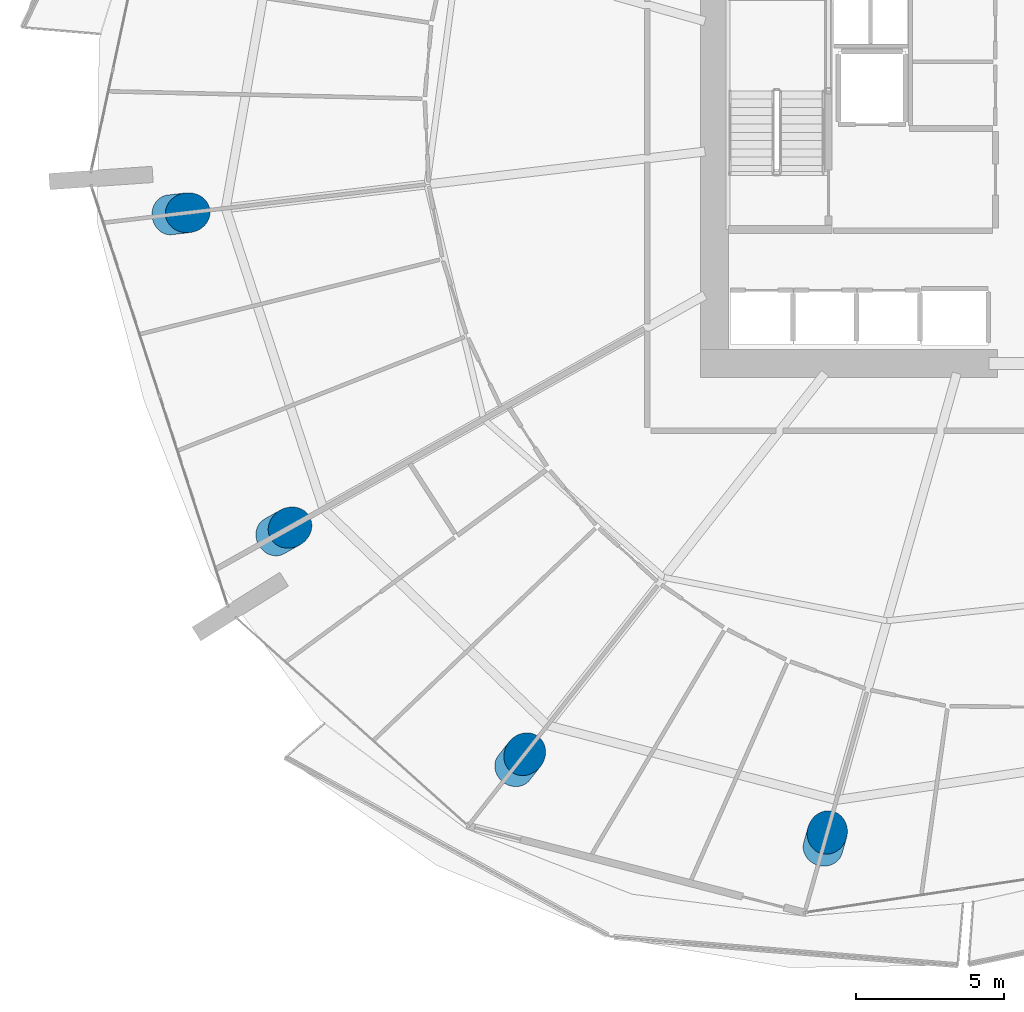
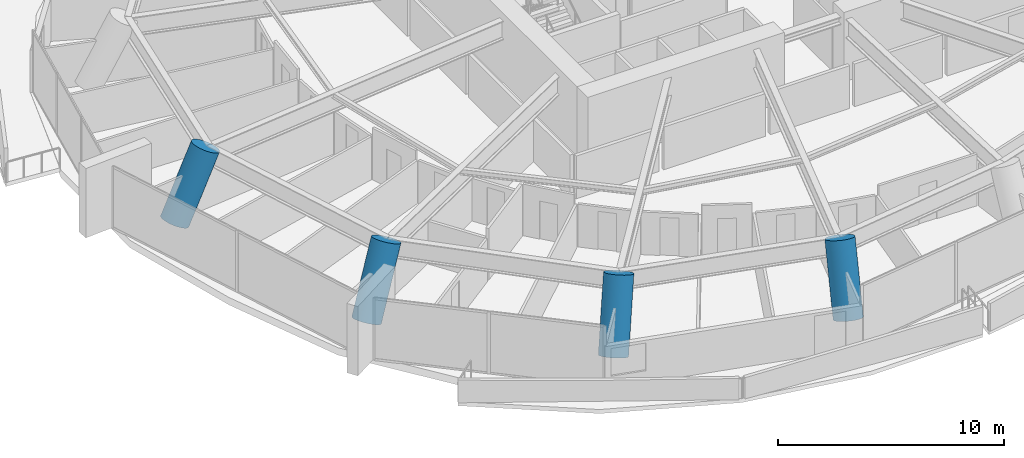
# One storey, part 1 of 31: 4 columns.
"""IFC4 building model written with IfcOpenShell, lengths in metres."""

from ifc_helpers import new_model, si_unit, direction, frame, origin, origin_2d, place, context, subcontext, project, spatial, circle, extrude, material, material_profile, profile_set, type_object, element, save


model = new_model("IFC4")

# Units and contexts
model_context = context("Model", 3, precision=1e-05, world=origin(), true_north=direction((0.0, 1.0)))
body_context = subcontext(model_context, "Body", "Model", "MODEL_VIEW")
ifc_project = project(units=[si_unit("LENGTHUNIT", "METRE"), si_unit("AREAUNIT", "SQUARE_METRE"), si_unit("VOLUMEUNIT", "CUBIC_METRE"), si_unit("PLANEANGLEUNIT", "RADIAN"), si_unit("MASSUNIT", "GRAM", prefix="KILO")], contexts=[model_context])

# Site, building, storey
site_placement = place(None, origin())
site = spatial("IfcSite", under=ifc_project, at=site_placement, CompositionType="ELEMENT")
building_placement = place(site_placement, origin())
building = spatial("IfcBuilding", under=site, at=building_placement, Name="Kazma Halo Residences", CompositionType="ELEMENT")
storey_placement = place(building_placement, frame((0.0, 0.0, 71.39990234375)))
storey = spatial("IfcBuildingStorey", under=building, at=storey_placement, Name="L17", CompositionType="ELEMENT", Elevation=71.39990234375)

# Columns
ifc_material = material(Name="Concrete C80/95", Category="concrete")
ifc_material_profile = material_profile(ifc_material, circle(Radius=0.675048828125, at=origin_2d()), Name="CIRC1350")
ifc_profile_set = profile_set([ifc_material_profile], Name="Concrete C80/95")
column_type = type_object("IfcColumnType", Name="COL-PERIM-1350", PredefinedType="COLUMN", material=ifc_profile_set)
for number, where, z_axis, x_axis, name in (
    (1, (18.902099609375, 38.555908203125, 0.0), (0.449694478252, 0.053279796585, 0.8915919131), (-0.117657060398, 0.993054286602, 0.0), "L17 perimeter ring column P08"),
    (2, (22.43505859375, 27.682861328125, 0.0), (0.395060386522, 0.22124681186, 0.891614905238), (-0.488625217479, 0.872493780404, 0.0), "L17 perimeter ring column P09"),
):
    element("IfcColumn", number, at=place(storey_placement, frame(where, z_axis=z_axis, x_axis=x_axis)), inside=storey, type_object=column_type, Name=name, PredefinedType="COLUMN", context=body_context, shape_type="SweptSolid", body=[
        extrude(circle(Radius=0.675048828125, at=origin_2d()), origin(), (0.0, 0.0, 1.0), 3.75732421875),
    ])
column_1_placement = place(storey_placement, frame((30.541748046875, 19.854248046875, 0.0), z_axis=(0.271840819549, 0.344907860641, 0.898410338595), x_axis=(-0.785386244622, 0.619006015123, 0.0)))
element("IfcColumn", 3, at=column_1_placement, inside=storey, type_object=column_type, Name="L17 perimeter ring column P10", PredefinedType="COLUMN", context=body_context, shape_type="SweptSolid", body=[
    extrude(circle(Radius=0.675048828125, at=origin_2d()), origin(), (0.0, 0.0, 1.0), 3.72900390625),
])
column_2_placement = place(storey_placement, frame((40.99169921875, 17.150634765625, 0.0), z_axis=(0.110887123569, 0.393127114754, 0.912773311108), x_axis=(-0.962446403038, 0.271471768843, 0.0)))
element("IfcColumn", 4, at=column_2_placement, inside=storey, type_object=column_type, Name="L17 perimeter ring column P11", PredefinedType="COLUMN", context=body_context, shape_type="SweptSolid", body=[
    extrude(circle(Radius=0.675048828125, at=origin_2d()), origin(), (0.0, 0.0, 1.0), 3.670166015625),
])

save(model, "model.ifc")
